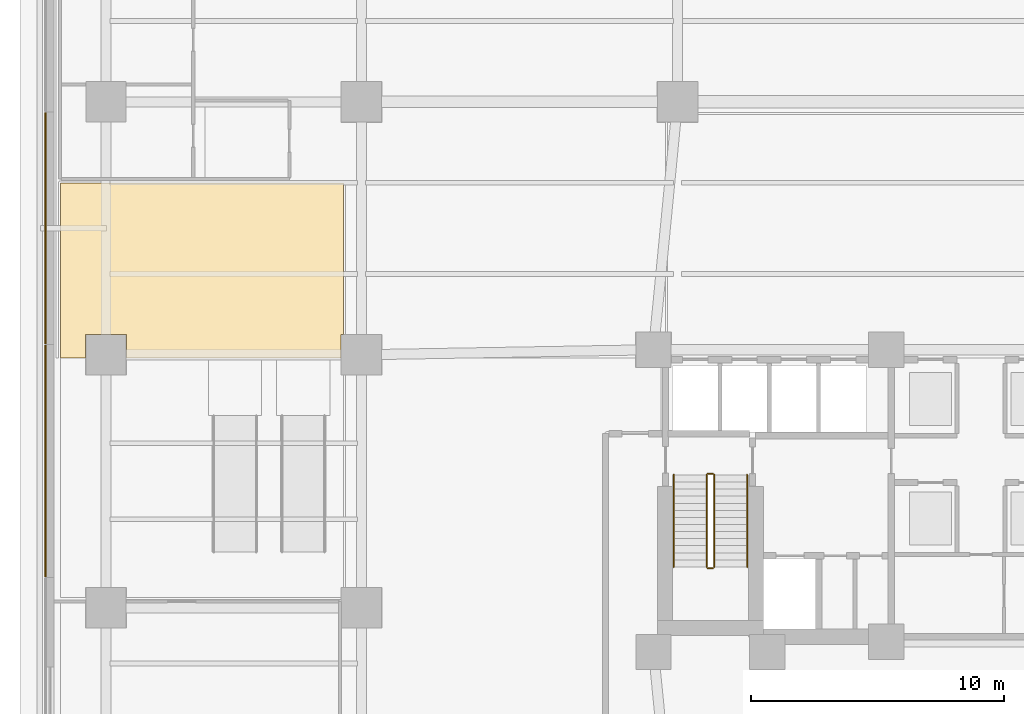
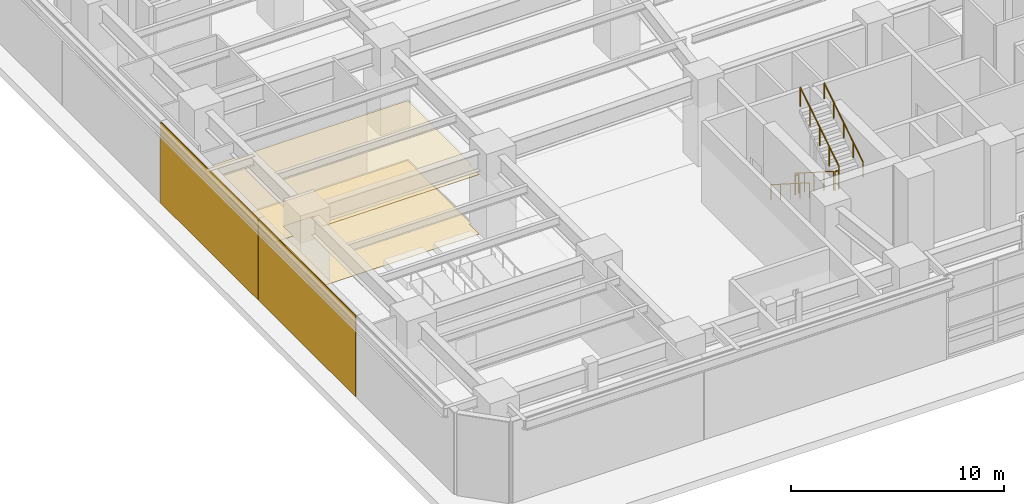
# One storey, part 20 of 26: 6 railings, 4 coverings.
"""IFC4 building model written with IfcOpenShell, lengths in metres."""

from ifc_helpers import new_model, si_unit, direction, frame, origin, origin_2d, place, context, subcontext, project, spatial, polyline, circle, outline, extrude, material, layer, layer_set, type_object, element, save


model = new_model("IFC4")

# Units and contexts
model_context = context("Model", 3, precision=1e-05, world=origin(), true_north=direction((0.0, 1.0)))
body_context = subcontext(model_context, "Body", "Model", "MODEL_VIEW")
ifc_project = project(units=[si_unit("LENGTHUNIT", "METRE"), si_unit("AREAUNIT", "SQUARE_METRE"), si_unit("VOLUMEUNIT", "CUBIC_METRE"), si_unit("PLANEANGLEUNIT", "RADIAN"), si_unit("MASSUNIT", "GRAM", prefix="KILO")], contexts=[model_context])

# Site, building, storey
site_placement = place(None, origin())
site = spatial("IfcSite", under=ifc_project, at=site_placement, CompositionType="ELEMENT")
building_placement = place(site_placement, origin())
building = spatial("IfcBuilding", under=site, at=building_placement, Name="Quenlor Broadcast Tower", CompositionType="ELEMENT")
storey_placement = place(building_placement, origin())
storey = spatial("IfcBuildingStorey", under=building, at=storey_placement, Name="L00", CompositionType="ELEMENT", Elevation=0.0)

# Coverings
ifc_material_1 = material(Name="Acoustic Mineral Fibre Board", Category="other")
ifc_layer_1 = layer(ifc_material_1, 0.02490234375)
ifc_layer_set_1 = layer_set([ifc_layer_1], Name="Acoustic Perforated Mineral Tile Ceiling 25")
covering_type_1 = type_object("IfcCoveringType", Name="Acoustic Perforated Mineral Tile Ceiling 25", PredefinedType="CEILING", material=ifc_layer_set_1)
covering_1_placement = place(storey_placement, frame((0.0, 0.0, 3.425048828125)))
element("IfcCovering", 1, at=covering_1_placement, inside=storey, type_object=covering_type_1, Name="L00 Acoustic Ceiling L00-39", PredefinedType="CEILING", context=body_context, shape_type="SweptSolid", body=[
    extrude(outline(polyline([(-25.199951171875, -4.19189453125), (-25.30810546875, -4.19189453125), (-25.30810546875, -5.1201171875), (-33.7919921875, -5.1201171875), (-33.7919921875, -4.19189453125), (-35.407958984375, -4.19189453125), (-35.407958984375, -5.1201171875), (-36.39990234375, -5.1201171875), (-36.39990234375, 1.800048828125), (-25.199951171875, 1.800048828125), (-25.199951171875, -4.19189453125)])), origin(), (0.0, 0.0, 1.0), 0.02490234375),
])
ifc_material_2 = material(Name="Architectural Terracotta Ceramic", Category="masonry")
ifc_layer_2 = layer(ifc_material_2, 0.044921875)
ifc_layer_set_2 = layer_set([ifc_layer_2], Name="Fluted Terracotta Rainscreen Cladding Panel")
covering_type_2 = type_object("IfcCoveringType", Name="Fluted Terracotta Rainscreen Cladding Panel", PredefinedType="CLADDING", material=ifc_layer_set_2)
covering_2_placement = place(storey_placement, frame((0.0, 0.0, 0.02001953125)))
element("IfcCovering", 2, at=covering_2_placement, inside=storey, type_object=covering_type_2, Name="L00 Terracotta Rainscreen Cladding L00-EW-W2", PredefinedType="CLADDING", context=body_context, shape_type="SweptSolid", body=[
    extrude(outline(polyline([(-36.971923828125, -13.77001953125), (-36.971923828125, -4.6298828125), (-37.01708984375, -4.6298828125), (-37.01708984375, -13.77001953125), (-36.971923828125, -13.77001953125)])), origin(), (0.0, 0.0, 1.0), 4.659912109375),
])
covering_3_placement = place(storey_placement, frame((0.0, 0.0, 0.02001953125)))
element("IfcCovering", 3, at=covering_3_placement, inside=storey, type_object=covering_type_2, Name="L00 Terracotta Rainscreen Cladding L00-EW-W3", PredefinedType="CLADDING", context=body_context, shape_type="SweptSolid", body=[
    extrude(outline(polyline([(-36.971923828125, -4.570068359375), (-36.971923828125, 4.570068359375), (-37.01708984375, 4.570068359375), (-37.01708984375, -4.570068359375), (-36.971923828125, -4.570068359375)])), origin(), (0.0, 0.0, 1.0), 4.659912109375),
])
ifc_material_3 = material(Name="Terrazzo Stone Finish", Category="masonry")
ifc_layer_3 = layer(ifc_material_3, 0.02001953125)
ifc_layer_set_3 = layer_set([ifc_layer_3], Name="Polished Sandstone Terrazzo Flooring 20")
covering_type_3 = type_object("IfcCoveringType", Name="Polished Sandstone Terrazzo Flooring 20", PredefinedType="FLOORING", material=ifc_layer_set_3)
covering_4_placement = place(storey_placement, origin())
element("IfcCovering", 4, at=covering_4_placement, inside=storey, type_object=covering_type_3, Name="L00 Terrazzo Flooring L00-39", PredefinedType="FLOORING", context=body_context, shape_type="SweptSolid", body=[
    extrude(outline(polyline([(-25.199951171875, -4.19189453125), (-25.30810546875, -4.19189453125), (-25.30810546875, -5.1201171875), (-33.7919921875, -5.1201171875), (-33.7919921875, -4.19189453125), (-35.407958984375, -4.19189453125), (-35.407958984375, -5.1201171875), (-36.39990234375, -5.1201171875), (-36.39990234375, 1.800048828125), (-25.199951171875, 1.800048828125), (-25.199951171875, -4.19189453125)])), origin(), (0.0, 0.0, 1.0), 0.02001953125),
])

# Railings
ifc_material_4 = material(Name="Anodised Aluminium", Category="aluminium")
railing_type_1 = type_object("IfcRailingType", Name="Stainless Aluminium Wall Handrail 900", PredefinedType="HANDRAIL", material=ifc_material_4)
railing_1_placement = place(storey_placement, frame((-12.14990234375, -9.75, 0.178466796875)))
element("IfcRailing", 5, at=railing_1_placement, inside=storey, type_object=railing_type_1, Name="L00 ST-1 stair handrail 1", PredefinedType="HANDRAIL", context=body_context, shape_type="SweptSolid", body=[
    extrude(circle(Radius=0.02392578125, at=origin_2d()), frame((0.0, 0.0, 0.8759765625), z_axis=(0.0, -0.843111507901, 0.53773877045), x_axis=(1.0, 0.0, 0.0)), (0.0, 0.0, 1.0), 4.317138671875),
    extrude(circle(Radius=0.02099609375, at=origin_2d()), origin(), (0.0, 0.0, 1.0), 0.851806640625),
    extrude(circle(Radius=0.02099609375, at=origin_2d()), frame((0.0, -0.909912109375, 0.580322265625)), (0.0, 0.0, 1.0), 0.851806640625),
    extrude(circle(Radius=0.02099609375, at=origin_2d()), frame((0.0, -1.81982421875, 1.16064453125)), (0.0, 0.0, 1.0), 0.851806640625),
    extrude(circle(Radius=0.02099609375, at=origin_2d()), frame((0.0, -2.72998046875, 1.7412109375)), (0.0, 0.0, 1.0), 0.851806640625),
    extrude(circle(Radius=0.02099609375, at=origin_2d()), frame((0.0, -3.639892578125, 2.321533203125)), (0.0, 0.0, 1.0), 0.851806640625),
])
railing_2_placement = place(storey_placement, frame((-9.25, -13.389892578125, 2.678466796875)))
element("IfcRailing", 6, at=railing_2_placement, inside=storey, type_object=railing_type_1, Name="L00 ST-1 stair handrail 2", PredefinedType="HANDRAIL", context=body_context, shape_type="SweptSolid", body=[
    extrude(circle(Radius=0.02392578125, at=origin_2d()), frame((0.0, 0.0, 0.8759765625), z_axis=(0.0, 0.843111507901, 0.53773877045), x_axis=(-1.0, 0.0, 0.0)), (0.0, 0.0, 1.0), 4.317138671875),
    extrude(circle(Radius=0.02099609375, at=origin_2d()), origin(), (0.0, 0.0, 1.0), 0.851806640625),
    extrude(circle(Radius=0.02099609375, at=origin_2d()), frame((0.0, 0.909912109375, 0.580322265625)), (0.0, 0.0, 1.0), 0.851806640625),
    extrude(circle(Radius=0.02099609375, at=origin_2d()), frame((0.0, 1.81982421875, 1.16064453125)), (0.0, 0.0, 1.0), 0.851806640625),
    extrude(circle(Radius=0.02099609375, at=origin_2d()), frame((0.0, 2.72998046875, 1.7412109375)), (0.0, 0.0, 1.0), 0.851806640625),
    extrude(circle(Radius=0.02099609375, at=origin_2d()), frame((0.0, 3.639892578125, 2.321533203125)), (0.0, 0.0, 1.0), 0.851806640625),
])
ifc_material_5 = material(Name="Steel S355", Category="steel")
railing_type_2 = type_object("IfcRailingType", Name="Tubular Steel S355 Stair Guardrail 1100", PredefinedType="BALUSTRADE", material=ifc_material_5)
railing_3_placement = place(storey_placement, frame((-10.85009765625, -9.75, 0.178466796875)))
element("IfcRailing", 7, at=railing_3_placement, inside=storey, type_object=railing_type_2, Name="L00 ST-1 stair guard 1", PredefinedType="BALUSTRADE", context=body_context, shape_type="SweptSolid", body=[
    extrude(circle(Radius=0.02392578125, at=origin_2d()), frame((0.0, 0.0, 1.076171875), z_axis=(0.0, -0.843111507901, 0.53773877045), x_axis=(1.0, 0.0, 0.0)), (0.0, 0.0, 1.0), 4.317138671875),
    extrude(circle(Radius=0.02099609375, at=origin_2d()), origin(), (0.0, 0.0, 1.0), 1.052001953125),
    extrude(circle(Radius=0.02099609375, at=origin_2d()), frame((0.0, -0.909912109375, 0.580322265625)), (0.0, 0.0, 1.0), 1.052001953125),
    extrude(circle(Radius=0.02099609375, at=origin_2d()), frame((0.0, -1.81982421875, 1.16064453125)), (0.0, 0.0, 1.0), 1.052001953125),
    extrude(circle(Radius=0.02099609375, at=origin_2d()), frame((0.0, -2.72998046875, 1.7412109375)), (0.0, 0.0, 1.0), 1.052001953125),
    extrude(circle(Radius=0.02099609375, at=origin_2d()), frame((0.0, -3.639892578125, 2.321533203125)), (0.0, 0.0, 1.0), 1.052001953125),
])
railing_4_placement = place(storey_placement, frame((-10.800048828125, -13.43994140625, 2.5)))
element("IfcRailing", 8, at=railing_4_placement, inside=storey, type_object=railing_type_2, Name="L00 ST-1 stair guard 2", PredefinedType="BALUSTRADE", context=body_context, shape_type="SweptSolid", body=[
    extrude(circle(Radius=0.02392578125, at=origin_2d()), frame((0.0, 0.0, 1.076171875), z_axis=(1.0, 0.0, 0.0), x_axis=(0.0, 1.0, 0.0)), (0.0, 0.0, 1.0), 0.199951171875),
    extrude(circle(Radius=0.02099609375, at=origin_2d()), origin(), (0.0, 0.0, 1.0), 1.052001953125),
    extrude(circle(Radius=0.02099609375, at=origin_2d()), frame((0.199951171875, 0.0, 0.0)), (0.0, 0.0, 1.0), 1.052001953125),
])
railing_5_placement = place(storey_placement, frame((-10.550048828125, -13.389892578125, 2.678466796875)))
element("IfcRailing", 9, at=railing_5_placement, inside=storey, type_object=railing_type_2, Name="L00 ST-1 stair guard 3", PredefinedType="BALUSTRADE", context=body_context, shape_type="SweptSolid", body=[
    extrude(circle(Radius=0.02392578125, at=origin_2d()), frame((0.0, 0.0, 1.076171875), z_axis=(0.0, 0.843111507901, 0.53773877045), x_axis=(-1.0, 0.0, 0.0)), (0.0, 0.0, 1.0), 4.317138671875),
    extrude(circle(Radius=0.02099609375, at=origin_2d()), origin(), (0.0, 0.0, 1.0), 1.052001953125),
    extrude(circle(Radius=0.02099609375, at=origin_2d()), frame((0.0, 0.909912109375, 0.580322265625)), (0.0, 0.0, 1.0), 1.052001953125),
    extrude(circle(Radius=0.02099609375, at=origin_2d()), frame((0.0, 1.81982421875, 1.16064453125)), (0.0, 0.0, 1.0), 1.052001953125),
    extrude(circle(Radius=0.02099609375, at=origin_2d()), frame((0.0, 2.72998046875, 1.7412109375)), (0.0, 0.0, 1.0), 1.052001953125),
    extrude(circle(Radius=0.02099609375, at=origin_2d()), frame((0.0, 3.639892578125, 2.321533203125)), (0.0, 0.0, 1.0), 1.052001953125),
])
railing_6_placement = place(storey_placement, frame((-10.800048828125, -9.699951171875, 0.0)))
element("IfcRailing", 10, at=railing_6_placement, inside=storey, type_object=railing_type_2, Name="L00 ST-1 stair guard 4", PredefinedType="BALUSTRADE", context=body_context, shape_type="SweptSolid", body=[
    extrude(circle(Radius=0.02392578125, at=origin_2d()), frame((0.0, 0.0, 1.076171875), z_axis=(1.0, 0.0, 0.0), x_axis=(0.0, 1.0, 0.0)), (0.0, 0.0, 1.0), 0.199951171875),
    extrude(circle(Radius=0.02099609375, at=origin_2d()), origin(), (0.0, 0.0, 1.0), 1.052001953125),
    extrude(circle(Radius=0.02099609375, at=origin_2d()), frame((0.199951171875, 0.0, 0.0)), (0.0, 0.0, 1.0), 1.052001953125),
])

save(model, "model.ifc")
